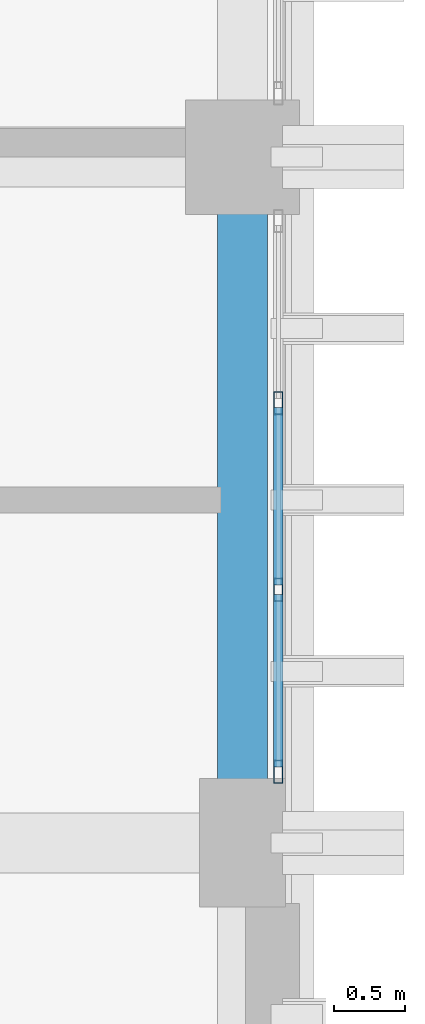
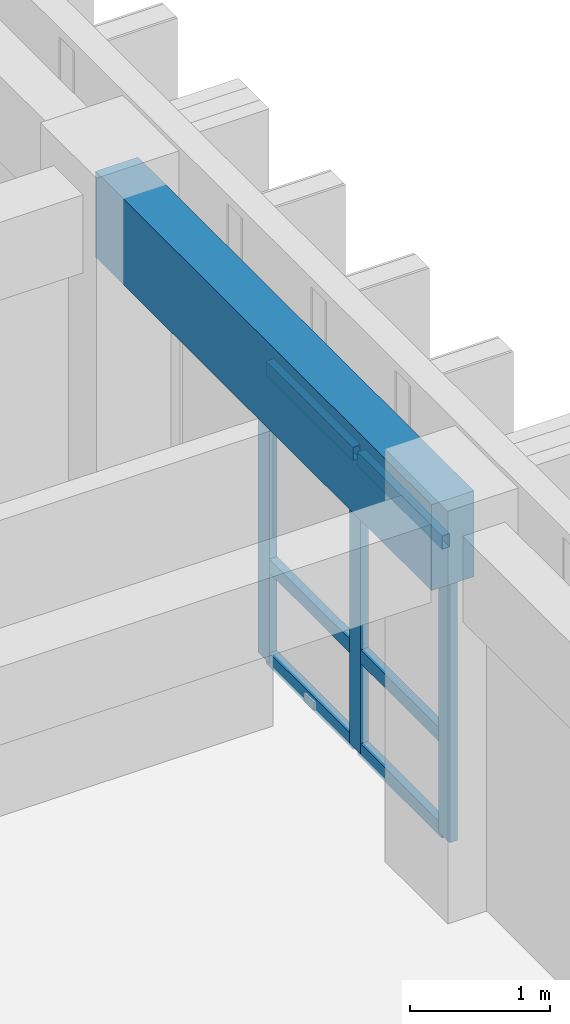
# One storey, part 25 of 82: 9 members, 1 beam, 1 element without a shape of its own.
"""IFC4 building model written with IfcOpenShell, lengths in metres."""

from ifc_helpers import new_model, si_unit, direction, frame, origin, origin_2d, place, context, subcontext, project, spatial, rectangle, hollow_rectangle, extrude, material, layer, layer_set, material_profile, profile_set, type_object, element, aggregate, save


model = new_model("IFC4")

# Units and contexts
model_context = context("Model", 3, precision=1e-05, world=origin(), true_north=direction((0.0, 1.0)))
body_context = subcontext(model_context, "Body", "Model", "MODEL_VIEW")
ifc_project = project(units=[si_unit("LENGTHUNIT", "METRE"), si_unit("AREAUNIT", "SQUARE_METRE"), si_unit("VOLUMEUNIT", "CUBIC_METRE"), si_unit("PLANEANGLEUNIT", "RADIAN"), si_unit("MASSUNIT", "GRAM", prefix="KILO")], contexts=[model_context])

# Site, building, storey
site_placement = place(None, origin())
site = spatial("IfcSite", under=ifc_project, at=site_placement, CompositionType="ELEMENT")
building_placement = place(site_placement, origin())
building = spatial("IfcBuilding", under=site, at=building_placement, Name="Nakhvara Creek Congress Hotel", CompositionType="ELEMENT")
storey_placement = place(building_placement, frame((0.0, 0.0, 21.0)))
storey = spatial("IfcBuildingStorey", under=building, at=storey_placement, Name="L04", CompositionType="ELEMENT", Elevation=21.0)

# Beam
ifc_material_1 = material(Name="Concrete C40/50", Category="concrete")
ifc_material_profile_1 = material_profile(ifc_material_1, rectangle(XDim=0.35009765625, YDim=0.75, at=origin_2d()), Name="RC-SPANDREL 350x750", Category="LoadBearing")
ifc_profile_set_1 = profile_set([ifc_material_profile_1], Name="Concrete C40/50")
beam_type = type_object("IfcBeamType", Name="BM-SPN-350X750", PredefinedType="SPANDREL", material=ifc_profile_set_1)
beam_placement = place(storey_placement, frame((179.35009765625, 62.39990234375, 2.965087890625), z_axis=(0.0, 1.0, 0.0), x_axis=(-1.0, 0.0, 0.0)))
element("IfcBeam", 1, at=beam_placement, inside=storey, type_object=beam_type, Name="Beam SP1-L04-2016", PredefinedType="SPANDREL", context=body_context, shape_type="SweptSolid", body=[
    extrude(rectangle(XDim=0.35009765625, YDim=0.75, at=origin_2d()), origin(), (0.0, 0.0, 1.0), 4.800048828125),
])

# Curtain wall, members
ifc_material_2 = material(Name="Bronze-anodised aluminium AW-6063-T6 and double-silver low-E glass", Category="aluminium")
ifc_layer = layer(ifc_material_2, 0.199951171875)
ifc_layer_set = layer_set([ifc_layer], Name="Bronze-anodised aluminium AW-6063-T6 and double-silver low-E glass")
curtain_wall_type = type_object("IfcCurtainWallType", Name="CW-HTL-UNIT", PredefinedType="USERDEFINED", material=ifc_layer_set)
curtain_wall_placement = place(storey_placement, origin())
curtain_wall = element("IfcCurtainWall", 2, at=curtain_wall_placement, inside=storey, type_object=curtain_wall_type, Name="Curtain Wall CW184", ObjectType="UNITISED", PredefinedType="USERDEFINED")
ifc_material_3 = material(Name="Bronze-anodised aluminium AW-6063-T6", Category="aluminium")
ifc_material_profile_2 = material_profile(ifc_material_3, hollow_rectangle(XDim=0.06494140625, YDim=0.159912109375, WallThickness=0.00390625, at=origin_2d()), Name="ALU-MULL 65x160x4", Category="LoadBearing")
ifc_profile_set_2 = profile_set([ifc_material_profile_2], Name="Bronze-anodised aluminium AW-6063-T6")
member_type_1 = type_object("IfcMemberType", Name="CW-MULL-160", PredefinedType="MULLION", material=ifc_profile_set_2)
member_1_placement = place(storey_placement, frame((179.60009765625, 65.478271484375, 0.0), z_axis=(0.0, 0.0, 1.0), x_axis=(1.0, 0.0, 0.0)))
member_1 = element("IfcMember", 3, at=member_1_placement, type_object=member_type_1, Name="CW184 mullion 2", PredefinedType="MULLION", context=body_context, shape_type="SweptSolid", body=[
    extrude(hollow_rectangle(XDim=0.06494140625, YDim=0.159912109375, WallThickness=0.00390625, at=origin_2d()), origin(), (0.0, 0.0, 1.0), 2.58203125),
])
member_2_placement = place(storey_placement, frame((179.60009765625, 64.171630859375, 0.0), z_axis=(0.0, 0.0, 1.0), x_axis=(1.0, 0.0, 0.0)))
member_2 = element("IfcMember", 4, at=member_2_placement, type_object=member_type_1, Name="CW184 mullion 3", PredefinedType="MULLION", context=body_context, shape_type="SweptSolid", body=[
    extrude(hollow_rectangle(XDim=0.06494140625, YDim=0.159912109375, WallThickness=0.00390625, at=origin_2d()), origin(), (0.0, 0.0, 1.0), 2.58203125),
])
member_3_placement = place(storey_placement, frame((179.60009765625, 62.8974609375, 0.0), z_axis=(0.0, 0.0, 1.0), x_axis=(1.0, 0.0, 0.0)))
member_3 = element("IfcMember", 5, at=member_3_placement, type_object=member_type_1, Name="CW184 mullion 4", PredefinedType="MULLION", context=body_context, shape_type="SweptSolid", body=[
    extrude(hollow_rectangle(XDim=0.06494140625, YDim=0.159912109375, WallThickness=0.00390625, at=origin_2d()), origin(), (0.0, 0.0, 1.0), 2.58203125),
])
ifc_material_profile_3 = material_profile(ifc_material_3, hollow_rectangle(XDim=0.06494140625, YDim=0.1201171875, WallThickness=0.00390625, at=origin_2d()), Name="ALU-TRAN 65x120x4", Category="LoadBearing")
ifc_profile_set_3 = profile_set([ifc_material_profile_3], Name="Bronze-anodised aluminium AW-6063-T6")
member_type_2 = type_object("IfcMemberType", Name="CW-TRAN-120", PredefinedType="USERDEFINED", material=ifc_profile_set_3)
member_4_placement = place(storey_placement, frame((179.60009765625, 65.44580078125, 0.032470703125), z_axis=(0.0, -1.0, 0.0), x_axis=(1.0, 0.0, 0.0)))
member_4 = element("IfcMember", 6, at=member_4_placement, type_object=member_type_2, Name="CW184 transom 2.1", ObjectType="TRANSOM", PredefinedType="USERDEFINED", context=body_context, shape_type="SweptSolid", body=[
    extrude(hollow_rectangle(XDim=0.06494140625, YDim=0.1201171875, WallThickness=0.00390625, at=origin_2d()), origin(), (0.0, 0.0, 1.0), 1.24169921875),
])
member_5_placement = place(storey_placement, frame((179.60009765625, 65.44580078125, 0.85009765625), z_axis=(0.0, -1.0, 0.0), x_axis=(1.0, 0.0, 0.0)))
member_5 = element("IfcMember", 7, at=member_5_placement, type_object=member_type_2, Name="CW184 transom 2.2", ObjectType="TRANSOM", PredefinedType="USERDEFINED", context=body_context, shape_type="SweptSolid", body=[
    extrude(hollow_rectangle(XDim=0.06494140625, YDim=0.1201171875, WallThickness=0.00390625, at=origin_2d()), origin(), (0.0, 0.0, 1.0), 1.24169921875),
])
member_6_placement = place(storey_placement, frame((179.60009765625, 65.44580078125, 2.549560546875), z_axis=(0.0, -1.0, 0.0), x_axis=(1.0, 0.0, 0.0)))
member_6 = element("IfcMember", 8, at=member_6_placement, type_object=member_type_2, Name="CW184 transom 2.3", ObjectType="TRANSOM", PredefinedType="USERDEFINED", context=body_context, shape_type="SweptSolid", body=[
    extrude(hollow_rectangle(XDim=0.06494140625, YDim=0.1201171875, WallThickness=0.00390625, at=origin_2d()), origin(), (0.0, 0.0, 1.0), 1.24169921875),
])
member_7_placement = place(storey_placement, frame((179.60009765625, 64.13916015625, 0.032470703125), z_axis=(0.0, -1.0, 0.0), x_axis=(1.0, 0.0, 0.0)))
member_7 = element("IfcMember", 9, at=member_7_placement, type_object=member_type_2, Name="CW184 transom 3.1", ObjectType="TRANSOM", PredefinedType="USERDEFINED", context=body_context, shape_type="SweptSolid", body=[
    extrude(hollow_rectangle(XDim=0.06494140625, YDim=0.1201171875, WallThickness=0.00390625, at=origin_2d()), origin(), (0.0, 0.0, 1.0), 1.209228515625),
])
member_8_placement = place(storey_placement, frame((179.60009765625, 64.13916015625, 0.85009765625), z_axis=(0.0, -1.0, 0.0), x_axis=(1.0, 0.0, 0.0)))
member_8 = element("IfcMember", 10, at=member_8_placement, type_object=member_type_2, Name="CW184 transom 3.2", ObjectType="TRANSOM", PredefinedType="USERDEFINED", context=body_context, shape_type="SweptSolid", body=[
    extrude(hollow_rectangle(XDim=0.06494140625, YDim=0.1201171875, WallThickness=0.00390625, at=origin_2d()), origin(), (0.0, 0.0, 1.0), 1.209228515625),
])
member_9_placement = place(storey_placement, frame((179.60009765625, 64.13916015625, 2.549560546875), z_axis=(0.0, -1.0, 0.0), x_axis=(1.0, 0.0, 0.0)))
member_9 = element("IfcMember", 11, at=member_9_placement, type_object=member_type_2, Name="CW184 transom 3.3", ObjectType="TRANSOM", PredefinedType="USERDEFINED", context=body_context, shape_type="SweptSolid", body=[
    extrude(hollow_rectangle(XDim=0.06494140625, YDim=0.1201171875, WallThickness=0.00390625, at=origin_2d()), origin(), (0.0, 0.0, 1.0), 1.209228515625),
])
aggregate(curtain_wall, [member_1, member_2, member_3, member_4, member_5, member_6, member_7, member_8, member_9])

save(model, "model.ifc")
